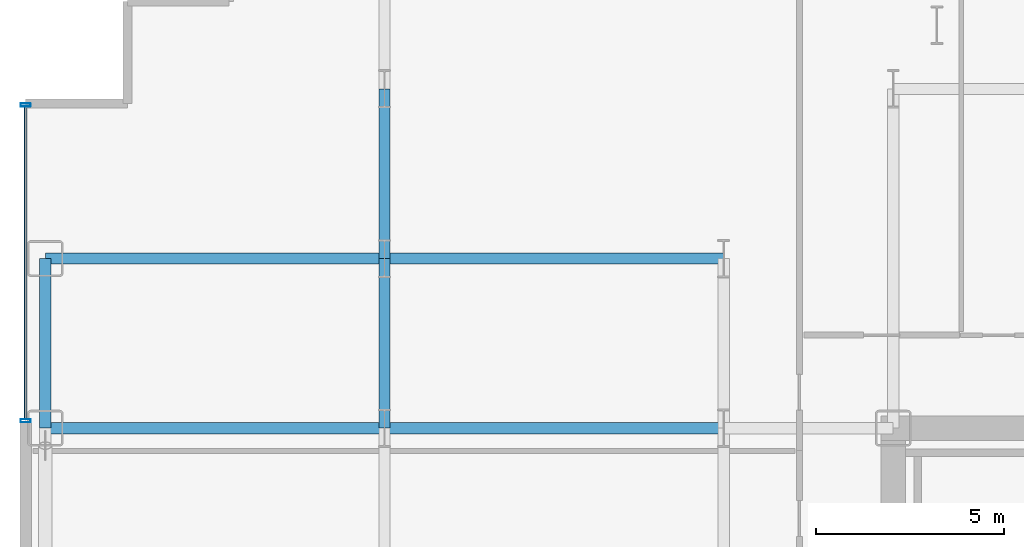
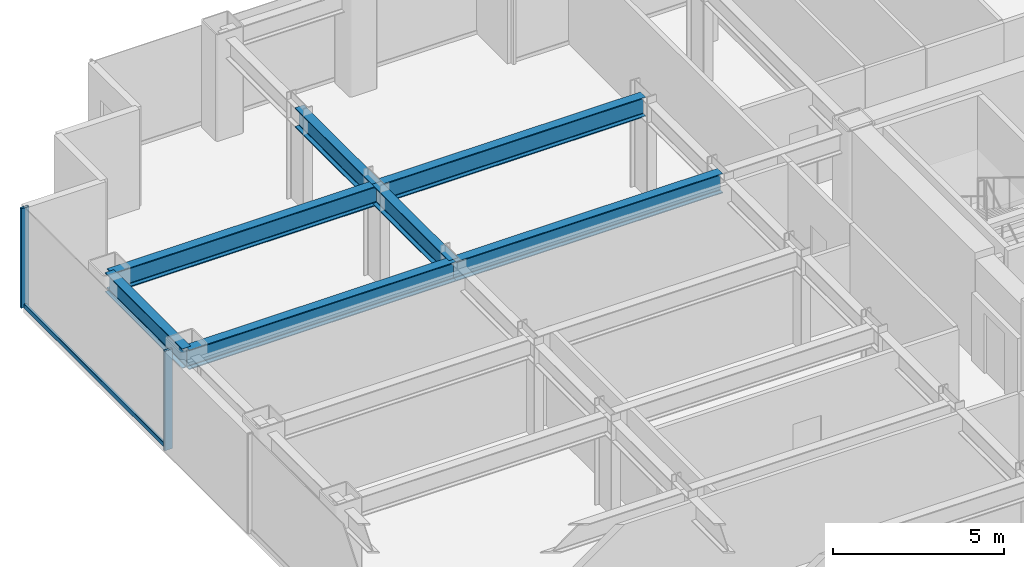
# One storey, part 11 of 29: 7 beams, 3 members, 1 element without a shape of its own.
"""IFC4 building model written with IfcOpenShell, lengths in metres."""

from ifc_helpers import new_model, si_unit, direction, frame, origin, origin_2d, place, context, subcontext, project, spatial, hollow_rectangle, i_section, extrude, source, transform, mapped, material, layer, layer_set, material_profile, profile_set, type_object, element, aggregate, save


model = new_model("IFC4")

# Units and contexts
model_context = context("Model", 3, precision=1e-05, world=origin(), true_north=direction((0.0, 1.0)))
body_context = subcontext(model_context, "Body", "Model", "MODEL_VIEW")
ifc_project = project(units=[si_unit("LENGTHUNIT", "METRE"), si_unit("AREAUNIT", "SQUARE_METRE"), si_unit("VOLUMEUNIT", "CUBIC_METRE"), si_unit("PLANEANGLEUNIT", "RADIAN"), si_unit("MASSUNIT", "GRAM", prefix="KILO")], contexts=[model_context])

# Site, building, storey
site_placement = place(None, origin())
site = spatial("IfcSite", under=ifc_project, at=site_placement, CompositionType="ELEMENT")
building_placement = place(site_placement, origin())
building = spatial("IfcBuilding", under=site, at=building_placement, Name="Nefas-Gora Pilgrimage Tower", CompositionType="ELEMENT")
storey_placement = place(building_placement, frame((0.0, 0.0, 44.39990234375)))
storey = spatial("IfcBuildingStorey", under=building, at=storey_placement, Name="L09", CompositionType="ELEMENT", Elevation=44.39990234375)

# Beams
ifc_material_1 = material(Name="Steel S355", Category="steel")
ifc_material_profile_1 = material_profile(ifc_material_1, i_section(OverallWidth=0.300048828125, OverallDepth=0.699951171875, WebThickness=0.01708984375, FlangeThickness=0.031982421875, FilletRadius=0.027099609375, at=origin_2d()), Name="HEB 700")
ifc_profile_set_1 = profile_set([ifc_material_profile_1], Name="Steel S355")
beam_type_1 = type_object("IfcBeamType", Name="BM-SPN-HEB600", PredefinedType="SPANDREL", material=ifc_profile_set_1)
shared_shape_1 = source(origin(), body_context, "Body", "SweptSolid", [
    extrude(i_section(OverallWidth=0.300048828125, OverallDepth=0.699951171875, WebThickness=0.01708984375, FlangeThickness=0.031982421875, FilletRadius=0.027099609375, at=origin_2d()), origin(), (0.0, 0.0, 1.0), 4.5),
])
beam_placement = place(storey_placement, frame((-33.75, 9.0, 3.2001953125), z_axis=(0.0, 1.0, 0.0), x_axis=(-1.0, 0.0, 0.0)))
element("IfcBeam", 1, at=beam_placement, inside=storey, type_object=beam_type_1, Name="L09 SP-01 beam", PredefinedType="SPANDREL", context=body_context, shape_type="MappedRepresentation", body=[
    mapped(shared_shape_1, transform((0.0, 0.0, 0.0), x_axis=(1.0, 0.0, 0.0), y_axis=(0.0, 1.0, 0.0), z_axis=(0.0, 0.0, 1.0), scale=1.0)),
])
ifc_material_profile_2 = material_profile(ifc_material_1, i_section(OverallWidth=0.300048828125, OverallDepth=0.699951171875, WebThickness=0.01708984375, FlangeThickness=0.031982421875, FilletRadius=0.027099609375, at=origin_2d()), Name="HEB 700")
ifc_profile_set_2 = profile_set([ifc_material_profile_2], Name="Steel S355")
beam_type_2 = type_object("IfcBeamType", Name="BM-GIR-HEB700", PredefinedType="BEAM", material=ifc_profile_set_2)
shared_shape_2 = source(origin(), body_context, "Body", "SweptSolid", [
    extrude(i_section(OverallWidth=0.300048828125, OverallDepth=0.699951171875, WebThickness=0.01708984375, FlangeThickness=0.031982421875, FilletRadius=0.027099609375, at=origin_2d()), origin(), (0.0, 0.0, 1.0), 9.0),
])
for number, where, z_axis, x_axis, name in (
    (2, (-33.75, 9.0, 3.2001953125), (1.0, 0.0, 0.0), (0.0, 1.0, 0.0), "L09 G-02 beam"),
    (3, (-33.75, 13.5, 3.2001953125), (1.0, 0.0, 0.0), (0.0, 1.0, 0.0), "L09 G-02 beam"),
    (4, (-24.75, 9.0, 3.2001953125), (1.0, 0.0, 0.0), (0.0, 1.0, 0.0), "L09 G-02 beam"),
    (5, (-24.75, 13.5, 3.2001953125), (1.0, 0.0, 0.0), (0.0, 1.0, 0.0), "L09 G-02 beam"),
):
    element("IfcBeam", number, at=place(storey_placement, frame(where, z_axis=z_axis, x_axis=x_axis)), inside=storey, type_object=beam_type_2, Name=name, PredefinedType="BEAM", context=body_context, shape_type="MappedRepresentation", body=[
        mapped(shared_shape_2, transform((0.0, 0.0, 0.0), x_axis=(1.0, 0.0, 0.0), y_axis=(0.0, 1.0, 0.0), z_axis=(0.0, 0.0, 1.0), scale=1.0)),
    ])
shared_shape_3 = source(origin(), body_context, "Body", "SweptSolid", [
    extrude(i_section(OverallWidth=0.300048828125, OverallDepth=0.699951171875, WebThickness=0.01708984375, FlangeThickness=0.031982421875, FilletRadius=0.027099609375, at=origin_2d()), origin(), (0.0, 0.0, 1.0), 4.5),
])
for number, where, z_axis, x_axis, name in (
    (6, (-24.75, 9.0, 3.2001953125), (0.0, 1.0, 0.0), (-1.0, 0.0, 0.0), "L09 G-02 beam"),
    (7, (-24.75, 13.5, 3.2001953125), (0.0, 1.0, 0.0), (-1.0, 0.0, 0.0), "L09 G-02 beam"),
):
    element("IfcBeam", number, at=place(storey_placement, frame(where, z_axis=z_axis, x_axis=x_axis)), inside=storey, type_object=beam_type_2, Name=name, PredefinedType="BEAM", context=body_context, shape_type="MappedRepresentation", body=[
        mapped(shared_shape_3, transform((0.0, 0.0, 0.0), x_axis=(1.0, 0.0, 0.0), y_axis=(0.0, 1.0, 0.0), z_axis=(0.0, 0.0, 1.0), scale=1.0)),
    ])

# Curtain wall, members
ifc_material_2 = material(Name="Dark ceramic-fritted solar-control aluminium-glass curtain wall", Category="aluminium")
ifc_layer = layer(ifc_material_2, 0.219970703125)
ifc_layer_set = layer_set([ifc_layer], Name="Dark ceramic-fritted solar-control aluminium-glass curtain wall")
curtain_wall_type = type_object("IfcCurtainWallType", Name="CW-SYS-2", PredefinedType="NOTDEFINED", material=ifc_layer_set)
curtain_wall_placement = place(storey_placement, origin())
curtain_wall = element("IfcCurtainWall", 8, at=curtain_wall_placement, inside=storey, type_object=curtain_wall_type, Name="L09 Unitised Curtain Wall CW2", PredefinedType="NOTDEFINED")
ifc_material_3 = material(Name="Anodised architectural aluminium", Category="aluminium")
ifc_material_profile_3 = material_profile(ifc_material_3, hollow_rectangle(XDim=0.090087890625, YDim=0.260009765625, WallThickness=0.006103515625, InnerFilletRadius=0.006103515625, OuterFilletRadius=0.011962890625, at=origin_2d()), Name="ALU MULLION 90x260")
ifc_profile_set_3 = profile_set([ifc_material_profile_3], Name="Anodised architectural aluminium")
member_type_1 = type_object("IfcMemberType", Name="CWM-MUL-2", PredefinedType="MULLION", material=ifc_profile_set_3)
shared_shape_4 = source(origin(), body_context, "Body", "SweptSolid", [
    extrude(hollow_rectangle(XDim=0.090087890625, YDim=0.260009765625, WallThickness=0.006103515625, InnerFilletRadius=0.006103515625, OuterFilletRadius=0.011962890625, at=origin_2d()), origin(), (0.0, 0.0, 1.0), 3.550048828125),
])
member_1_placement = place(storey_placement, frame((-34.27001953125, 17.574951171875, 0.0), z_axis=(0.0, 0.0, 1.0), x_axis=(0.0, -1.0, 0.0)))
member_1 = element("IfcMember", 9, at=member_1_placement, type_object=member_type_1, Name="CW2 Mullion 1", PredefinedType="MULLION", context=body_context, shape_type="MappedRepresentation", body=[
    mapped(shared_shape_4, transform((0.0, 0.0, 0.0), x_axis=(1.0, 0.0, 0.0), y_axis=(0.0, 1.0, 0.0), z_axis=(0.0, 0.0, 1.0), scale=1.0)),
])
member_2_placement = place(storey_placement, frame((-34.27001953125, 9.195068359375, 0.0), z_axis=(0.0, 0.0, 1.0), x_axis=(0.0, -1.0, 0.0)))
member_2 = element("IfcMember", 10, at=member_2_placement, type_object=member_type_1, Name="CW2 Mullion 2", PredefinedType="MULLION", context=body_context, shape_type="MappedRepresentation", body=[
    mapped(shared_shape_4, transform((0.0, 0.0, 0.0), x_axis=(1.0, 0.0, 0.0), y_axis=(0.0, 1.0, 0.0), z_axis=(0.0, 0.0, 1.0), scale=1.0)),
])
ifc_material_profile_4 = material_profile(ifc_material_3, hollow_rectangle(XDim=0.080078125, YDim=0.159912109375, WallThickness=0.00439453125, InnerFilletRadius=0.00439453125, OuterFilletRadius=0.009033203125, at=origin_2d()), Name="ALU TRANSOM 80x160")
ifc_profile_set_4 = profile_set([ifc_material_profile_4], Name="Anodised architectural aluminium")
member_type_2 = type_object("IfcMemberType", Name="CWM-TRN-2", PredefinedType="USERDEFINED", material=ifc_profile_set_4)
shared_shape_5 = source(origin(), body_context, "Body", "SweptSolid", [
    extrude(hollow_rectangle(XDim=0.080078125, YDim=0.159912109375, WallThickness=0.00439453125, InnerFilletRadius=0.00439453125, OuterFilletRadius=0.009033203125, at=origin_2d()), origin(), (0.0, 0.0, 1.0), 8.2900390625),
])
member_3_placement = place(storey_placement, frame((-34.27001953125, 17.530029296875, 0.050048828125), z_axis=(0.0, -1.0, 0.0), x_axis=(1.0, 0.0, 0.0)))
member_3 = element("IfcMember", 11, at=member_3_placement, type_object=member_type_2, Name="CW2 Spandrel Transom", ObjectType="TRANSOM", PredefinedType="USERDEFINED", context=body_context, shape_type="MappedRepresentation", body=[
    mapped(shared_shape_5, transform((0.0, 0.0, 0.0), x_axis=(1.0, 0.0, 0.0), y_axis=(0.0, 1.0, 0.0), z_axis=(0.0, 0.0, 1.0), scale=1.0)),
])
aggregate(curtain_wall, [member_1, member_2, member_3])

save(model, "model.ifc")
